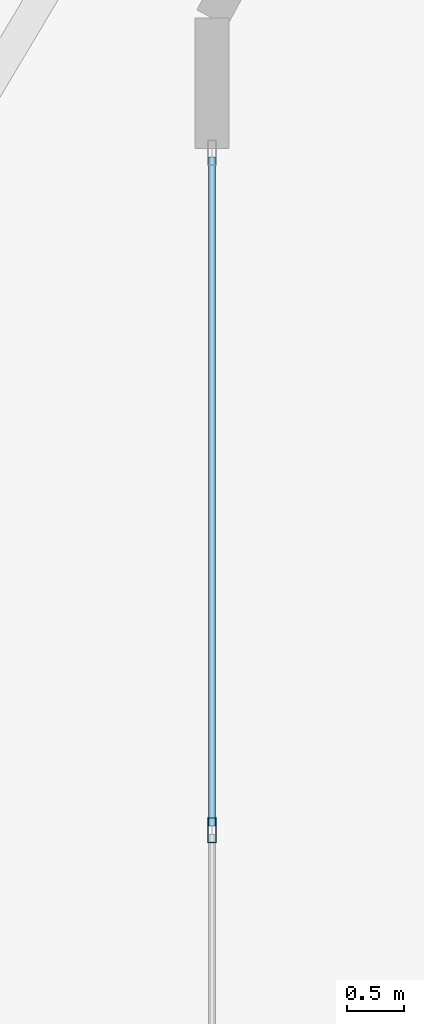
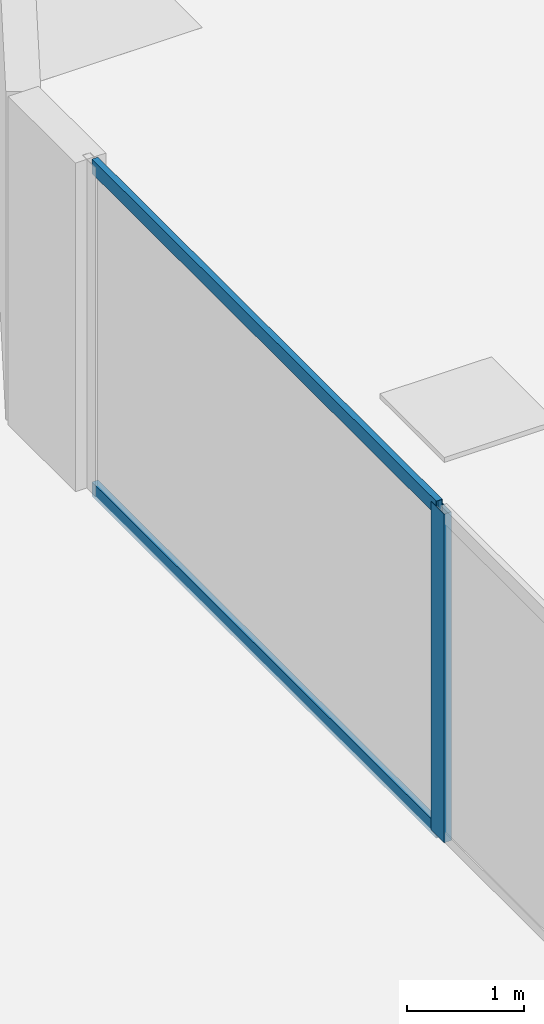
# One storey, part 10 of 30: 3 members, 1 element without a shape of its own.
"""IFC4 building model written with IfcOpenShell, lengths in metres."""

from ifc_helpers import new_model, si_unit, direction, frame, origin, origin_2d, place, context, subcontext, project, spatial, hollow_rectangle, extrude, material, layer, layer_set, material_profile, profile_set, type_object, element, aggregate, save


model = new_model("IFC4")

# Units and contexts
model_context = context("Model", 3, precision=1e-05, world=origin(), true_north=direction((0.0, 1.0)))
body_context = subcontext(model_context, "Body", "Model", "MODEL_VIEW")
ifc_project = project(units=[si_unit("LENGTHUNIT", "METRE"), si_unit("AREAUNIT", "SQUARE_METRE"), si_unit("VOLUMEUNIT", "CUBIC_METRE"), si_unit("PLANEANGLEUNIT", "RADIAN"), si_unit("MASSUNIT", "GRAM", prefix="KILO")], contexts=[model_context])

# Site, building, storey
site_placement = place(None, origin())
site = spatial("IfcSite", under=ifc_project, at=site_placement, CompositionType="ELEMENT")
building_placement = place(site_placement, origin())
building = spatial("IfcBuilding", under=site, at=building_placement, Name="Zuhayl Quay Hotel", CompositionType="ELEMENT")
storey_placement = place(building_placement, frame((0.0, 0.0, 27.60009765625)))
storey = spatial("IfcBuildingStorey", under=building, at=storey_placement, Name="L05", CompositionType="ELEMENT", Elevation=27.60009765625)

# Curtain wall, members
ifc_material_1 = material(Name="Anodised Aluminium 6063-T6", Category="aluminium")
ifc_layer = layer(ifc_material_1, 0.18994140625, Name="Anodised Aluminium 6063-T6", Category="aluminium")
ifc_layer_set = layer_set([ifc_layer], Name="Anodised Aluminium 6063-T6")
curtain_wall_type = type_object("IfcCurtainWallType", Name="CW_SYS_Z1", PredefinedType="USERDEFINED", material=ifc_layer_set)
curtain_wall_placement = place(storey_placement, origin())
curtain_wall = element("IfcCurtainWall", 1, at=curtain_wall_placement, inside=storey, type_object=curtain_wall_type, Name="L05 Curtain Wall ENV_L05_E14_CW1", ObjectType="UNITISED CURTAIN WALL", PredefinedType="USERDEFINED")
ifc_material_2 = material(Name="Black-anodised aluminium 6063-T6", Category="aluminium")
ifc_material_profile_1 = material_profile(ifc_material_2, hollow_rectangle(XDim=0.074951171875, YDim=0.219970703125, WallThickness=0.00390625, at=origin_2d()), Name="ALU220X75")
ifc_profile_set_1 = profile_set([ifc_material_profile_1], Name="Black-anodised aluminium 6063-T6")
member_type_1 = type_object("IfcMemberType", Name="MB_CW_MUL_220", PredefinedType="MULLION", material=ifc_profile_set_1)
member_1_placement = place(storey_placement, frame((25.699951171875, -12.35009765625, 0.0), z_axis=(0.0, 0.0, 1.0), x_axis=(1.0, 0.0, 0.0)))
member_1 = element("IfcMember", 2, at=member_1_placement, type_object=member_type_1, Name="CW-Z1 mullion 2", PredefinedType="MULLION", context=body_context, shape_type="SweptSolid", body=[
    extrude(hollow_rectangle(XDim=0.074951171875, YDim=0.219970703125, WallThickness=0.00390625, at=origin_2d()), origin(), (0.0, 0.0, 1.0), 3.429931640625),
])
ifc_material_profile_2 = material_profile(ifc_material_2, hollow_rectangle(XDim=0.06005859375, YDim=0.14990234375, WallThickness=0.00341796875, at=origin_2d()), Name="ALU150X60")
ifc_profile_set_2 = profile_set([ifc_material_profile_2], Name="Black-anodised aluminium 6063-T6")
member_type_2 = type_object("IfcMemberType", Name="MB_CW_TRN_150", PredefinedType="USERDEFINED", material=ifc_profile_set_2)
member_2_placement = place(storey_placement, frame((25.699951171875, -6.425048828125, 0.02978515625), z_axis=(0.0, -1.0, 0.0), x_axis=(1.0, 0.0, 0.0)))
member_2 = element("IfcMember", 3, at=member_2_placement, type_object=member_type_2, Name="CW-Z1 transom 1.1", ObjectType="TRANSOM", PredefinedType="USERDEFINED", context=body_context, shape_type="SweptSolid", body=[
    extrude(hollow_rectangle(XDim=0.06005859375, YDim=0.14990234375, WallThickness=0.00341796875, at=origin_2d()), origin(), (0.0, 0.0, 1.0), 5.887451171875),
])
member_3_placement = place(storey_placement, frame((25.699951171875, -6.425048828125, 3.39990234375), z_axis=(0.0, -1.0, 0.0), x_axis=(1.0, 0.0, 0.0)))
member_3 = element("IfcMember", 4, at=member_3_placement, type_object=member_type_2, Name="CW-Z1 transom 1.2", ObjectType="TRANSOM", PredefinedType="USERDEFINED", context=body_context, shape_type="SweptSolid", body=[
    extrude(hollow_rectangle(XDim=0.06005859375, YDim=0.14990234375, WallThickness=0.00341796875, at=origin_2d()), origin(), (0.0, 0.0, 1.0), 5.887451171875),
])
aggregate(curtain_wall, [member_1, member_2, member_3])

save(model, "model.ifc")
